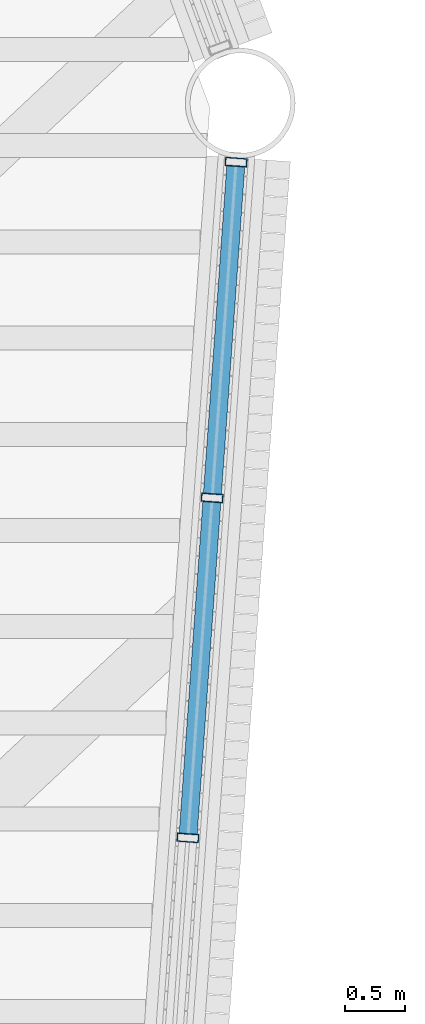
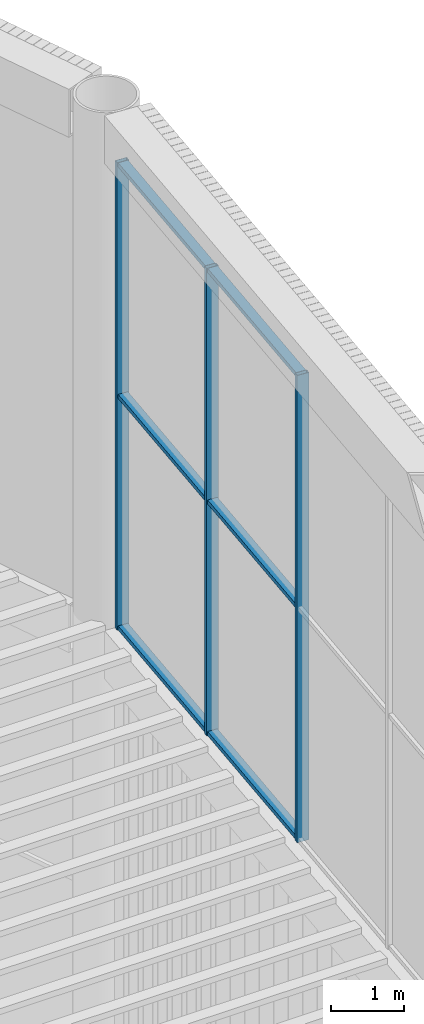
# One storey, part 72 of 117: 9 members, 1 element without a shape of its own.
"""IFC4 building model written with IfcOpenShell, lengths in metres."""

import ifcopenshell
import ifcopenshell.guid

model = None  # the IFC model being written
_history = None  # IfcOwnerHistory: only IFC2X3 demands one
_inside = {}  # id of a spatial element -> (the spatial element, [elements in it])
_under = {}  # id of a project, library or spatial element -> (it, [spatial elements below it])
_declared = {}  # id of a project -> (the project, [libraries it declares])
_typed = {}  # id of a type object -> (the type object, [elements of that type])
_made_of = {}  # id of a material, layer set ... -> (it, [elements and type objects made of it])


def new_model(schema):
    """Start an empty IFC model of exactly this schema.

    Asked for "IFC4X3", IfcOpenShell would pick the latest addendum, in which some entities
    have other attributes; the version numbers below select the first issue.
    IFC2X3 requires an IfcOwnerHistory on every rooted entity: one is made here for all.
    """
    global model, _history
    if schema == "IFC4X3":
        model = ifcopenshell.file(schema_version=(4, 3, 0, 0))
    else:
        model = ifcopenshell.file(schema=schema)
    _inside.clear()
    _under.clear()
    _declared.clear()
    _typed.clear()
    _made_of.clear()
    _history = None
    if model.schema == "IFC2X3":
        org = make("IfcOrganization", Name="unknown")
        user = make(
            "IfcPersonAndOrganization",
            ThePerson=make("IfcPerson", FamilyName="unknown"),
            TheOrganization=org,
        )
        app = make(
            "IfcApplication",
            ApplicationDeveloper=org,
            Version="unknown",
            ApplicationFullName="unknown",
            ApplicationIdentifier="unknown",
        )
        _history = make(
            "IfcOwnerHistory",
            OwningUser=user,
            OwningApplication=app,
            ChangeAction="ADDED",
            CreationDate=0,
        )
    return model


def make(cls, **values):
    """One entity of the class cls with the attributes given. An attribute that is None is left unset."""
    return model.create_entity(
        cls, **{name: value for name, value in values.items() if value is not None}
    )


def rooted(cls, **values):
    """An entity with a GlobalId (a new one), such as an element, a storey or a relation."""
    return make(cls, GlobalId=ifcopenshell.guid.new(), OwnerHistory=_history, **values)


def si_unit(unit_type, name, prefix=None):
    """IfcSIUnit, for example si_unit("LENGTHUNIT", "METRE", prefix="MILLI")."""
    return make("IfcSIUnit", UnitType=unit_type, Prefix=prefix, Name=name)


def assignment(units):
    """IfcUnitAssignment: the units of a project."""
    return None if units is None else make("IfcUnitAssignment", Units=units)


def point(xyz):
    """IfcCartesianPoint."""
    return None if xyz is None else make("IfcCartesianPoint", Coordinates=xyz)


def direction(xyz):
    """IfcDirection."""
    return None if xyz is None else make("IfcDirection", DirectionRatios=xyz)


def frame(location, z_axis=None, x_axis=None):
    """IfcAxis2Placement3D, a coordinate frame: its origin and axes. An axis left out is left unset."""
    return make(
        "IfcAxis2Placement3D",
        Location=point(location),
        Axis=direction(z_axis),
        RefDirection=direction(x_axis),
    )


def frame_2d(location, x_axis=None):
    """IfcAxis2Placement2D, a coordinate frame in the plane: its origin and x axis."""
    return make(
        "IfcAxis2Placement2D", Location=point(location), RefDirection=direction(x_axis)
    )


def origin():
    """The frame at (0, 0, 0) with its axes left unset."""
    return frame((0.0, 0.0, 0.0))


def origin_2d():
    """The frame at (0, 0) in the plane with its x axis left unset."""
    return frame_2d((0.0, 0.0))


def place(relative_to, where):
    """IfcLocalPlacement: puts the frame where relative to a parent placement (None: the world)."""
    return make(
        "IfcLocalPlacement", PlacementRelTo=relative_to, RelativePlacement=where
    )


def context(
    kind, dimensions, precision=None, world=None, true_north=None, identifier=None
):
    """IfcGeometricRepresentationContext, for example the 3D "Model" context."""
    return make(
        "IfcGeometricRepresentationContext",
        ContextIdentifier=identifier,
        ContextType=kind,
        CoordinateSpaceDimension=dimensions,
        Precision=precision,
        WorldCoordinateSystem=world,
        TrueNorth=true_north,
    )


def subcontext(parent, identifier, kind, view, scale=None):
    """IfcGeometricRepresentationSubContext, for example "Body" below "Model"."""
    return make(
        "IfcGeometricRepresentationSubContext",
        ContextIdentifier=identifier,
        ContextType=kind,
        ParentContext=parent,
        TargetScale=scale,
        TargetView=view,
    )


def project(units=None, contexts=None):
    """IfcProject with its units and contexts."""
    return rooted(
        "IfcProject",
        Name="project",
        RepresentationContexts=contexts,
        UnitsInContext=assignment(units),
    )


def spatial(cls, under=None, at=None, **own):
    """A site, building, storey or space (cls), placed at a placement, below another one or the project."""
    s = rooted(cls, ObjectPlacement=at, **own)
    if under is not None:
        _under.setdefault(under.id(), (under, []))[1].append(s)
    return s


def profile(cls, at=None, kind="AREA", **sizes):
    """A parametric profile (cls). Its sizes go by their IFC names, for example OverallWidth=200.0."""
    return make(cls, ProfileType=kind, Position=at, **sizes)


def hollow_rectangle(**sizes):
    """IfcRectangleHollowProfileDef."""
    return profile("IfcRectangleHollowProfileDef", **sizes)


def extrude(swept, where, along, depth):
    """IfcExtrudedAreaSolid: the profile swept, set in the frame where, extruded along a direction by depth."""
    return make(
        "IfcExtrudedAreaSolid",
        SweptArea=swept,
        Position=where,
        ExtrudedDirection=direction(along),
        Depth=depth,
    )


def shape(context_of_items, identifier, shape_type, items):
    """IfcShapeRepresentation: the items that make up one representation, for example the "Body"."""
    return make(
        "IfcShapeRepresentation",
        ContextOfItems=context_of_items,
        RepresentationIdentifier=identifier,
        RepresentationType=shape_type,
        Items=items,
    )


def material(Name=None, Category=None):
    """IfcMaterial."""
    return make("IfcMaterial", Name=Name, Category=Category)


def layer(
    of_material, thickness, ventilated=None, Name=None, Category=None, Priority=None
):
    """IfcMaterialLayer: one layer of a wall or slab, of a material (None: an air gap)."""
    return make(
        "IfcMaterialLayer",
        Material=of_material,
        LayerThickness=thickness,
        IsVentilated=ventilated,
        Name=Name,
        Category=Category,
        Priority=Priority,
    )


def layer_set(layers, Name=None):
    """IfcMaterialLayerSet."""
    return make("IfcMaterialLayerSet", MaterialLayers=layers, LayerSetName=Name)


def material_profile(
    of_material, cross_section, Name=None, Category=None, Priority=None
):
    """IfcMaterialProfile: a cross section and its material."""
    return make(
        "IfcMaterialProfile",
        Name=Name,
        Material=of_material,
        Profile=cross_section,
        Priority=Priority,
        Category=Category,
    )


def profile_set(profiles, Name=None, composite=None):
    """IfcMaterialProfileSet."""
    return make(
        "IfcMaterialProfileSet",
        Name=Name,
        MaterialProfiles=profiles,
        CompositeProfile=composite,
    )


def made_of(thing, what):
    """Note that an element or type object is made of a material, layer set ...; save() writes the relation."""
    if what is not None:
        _made_of.setdefault(what.id(), (what, []))[1].append(thing)
    return thing


def type_object(cls, material=None, **own):
    """A type object (cls), such as IfcWallType, which elements share."""
    return made_of(rooted(cls, **own), material)


def element(
    cls,
    number,
    at=None,
    inside=None,
    cuts=None,
    type_object=None,
    material=None,
    context=None,
    identifier="Body",
    shape_type=None,
    held_by="IfcProductDefinitionShape",
    body=None,
    shapes=None,
    **own,
):
    """One element of the class cls, such as IfcWall. Its Tag is "e" and its number.

    at: its placement. inside: the storey or other place that contains it. cuts: it is an
    opening in that element (IfcRelVoidsElement). A single representation is given by context,
    identifier, shape_type and body (its items); several are given by shapes. held_by: the class
    of the entity that holds the representations. save() writes the other relations.
    """
    e = rooted(cls, Tag="e%d" % number, ObjectPlacement=at, **own)
    if body is not None:
        shapes = [shape(context, identifier, shape_type, body)]
    if shapes is not None:
        e.Representation = make(held_by, Representations=shapes)
    if inside is not None:
        _inside.setdefault(inside.id(), (inside, []))[1].append(e)
    if cuts is not None:
        rooted(
            "IfcRelVoidsElement", RelatingBuildingElement=cuts, RelatedOpeningElement=e
        )
    if type_object is not None:
        _typed.setdefault(type_object.id(), (type_object, []))[1].append(e)
    return made_of(e, material)


def aggregate(whole, parts):
    """IfcRelAggregates: a whole, such as a stair, and the parts it consists of."""
    return rooted("IfcRelAggregates", RelatingObject=whole, RelatedObjects=parts)


def save(model, path):
    """Write the relations noted so far, then the file.

    IfcRelAggregates (storeys below a building ...), IfcRelContainedInSpatialStructure (elements
    in a storey), IfcRelDefinesByType, IfcRelAssociatesMaterial and IfcRelDeclares: one each for
    every whole, place, type object, material and project.
    """
    for whole, parts in _under.values():
        aggregate(whole, parts)
    for where, things in _inside.values():
        rooted(
            "IfcRelContainedInSpatialStructure",
            RelatedElements=things,
            RelatingStructure=where,
        )
    for kind, things in _typed.values():
        rooted("IfcRelDefinesByType", RelatedObjects=things, RelatingType=kind)
    for what, things in _made_of.values():
        rooted("IfcRelAssociatesMaterial", RelatedObjects=things, RelatingMaterial=what)
    for by, libraries in _declared.values():
        rooted("IfcRelDeclares", RelatingContext=by, RelatedDefinitions=libraries)
    model.write(path)


model = new_model("IFC4")

# Units and contexts
model_context = context("Model", 3, precision=1e-05, world=origin(), true_north=direction((0.0, 1.0)))
body_context = subcontext(model_context, "Body", "Model", "MODEL_VIEW")
ifc_project = project(units=[si_unit("LENGTHUNIT", "METRE"), si_unit("AREAUNIT", "SQUARE_METRE"), si_unit("VOLUMEUNIT", "CUBIC_METRE"), si_unit("PLANEANGLEUNIT", "RADIAN"), si_unit("MASSUNIT", "GRAM", prefix="KILO")], contexts=[model_context])

# Site, building, storey
site_placement = place(None, origin())
site = spatial("IfcSite", under=ifc_project, at=site_placement, CompositionType="ELEMENT")
building_placement = place(site_placement, origin())
building = spatial("IfcBuilding", under=site, at=building_placement, Name="Tarsis Ring Headquarters", CompositionType="ELEMENT")
storey_placement = place(building_placement, frame((0.0, 0.0, 403.60009765625)))
storey = spatial("IfcBuildingStorey", under=building, at=storey_placement, Name="L95", CompositionType="ELEMENT", Elevation=403.60009765625)

# Curtain wall, members
ifc_material_1 = material(Name="Aluminium curtain wall", Category="aluminium")
ifc_layer = layer(ifc_material_1, 0.179931640625)
ifc_layer_set = layer_set([ifc_layer], Name="Curtain wall crown glazing")
curtain_wall_type = type_object("IfcCurtainWallType", Name="Curtain wall crown glazing", PredefinedType="NOTDEFINED", material=ifc_layer_set)
curtain_wall_placement = place(storey_placement, origin())
curtain_wall = element("IfcCurtainWall", 1, at=curtain_wall_placement, inside=storey, type_object=curtain_wall_type, Name="Crown glazing U6", PredefinedType="NOTDEFINED")
ifc_material_2 = material(Name="Aluminium mullion", Category="aluminium")
ifc_material_profile_1 = material_profile(ifc_material_2, hollow_rectangle(XDim=0.179931640625, YDim=0.070068359375, WallThickness=0.0048828125, at=origin_2d()), Name="RHS 180x70x5")
ifc_profile_set_1 = profile_set([ifc_material_profile_1], Name="Aluminium mullion")
member_type_1 = type_object("IfcMemberType", Name="Crown glazing mullion RHS 180x70x5", PredefinedType="MULLION", material=ifc_profile_set_1)
member_1_placement = place(storey_placement, frame((28.32373046875, -2.019775390625, 14.39990234375), z_axis=(0.0, 0.0, 1.0), x_axis=(-0.997467263285, 0.071127060071, 0.0)))
member_1 = element("IfcMember", 2, at=member_1_placement, type_object=member_type_1, Name="CW-C mullion 3", PredefinedType="MULLION", context=body_context, shape_type="SweptSolid", body=[
    extrude(hollow_rectangle(XDim=0.179931640625, YDim=0.070068359375, WallThickness=0.0048828125, at=origin_2d()), origin(), (0.0, 0.0, 1.0), 7.800048828125),
])
member_2_placement = place(storey_placement, frame((28.525146484375, 0.806884765625, 14.39990234375), z_axis=(0.0, 0.0, 1.0), x_axis=(-0.997467263285, 0.071127060071, 0.0)))
member_2 = element("IfcMember", 3, at=member_2_placement, type_object=member_type_1, Name="CW-C mullion 4", PredefinedType="MULLION", context=body_context, shape_type="SweptSolid", body=[
    extrude(hollow_rectangle(XDim=0.179931640625, YDim=0.070068359375, WallThickness=0.0048828125, at=origin_2d()), origin(), (0.0, 0.0, 1.0), 7.800048828125),
])
member_3_placement = place(storey_placement, frame((28.724365234375, 3.598388671875, 14.39990234375), z_axis=(0.0, 0.0, 1.0), x_axis=(-0.997467263285, 0.071127060071, 0.0)))
member_3 = element("IfcMember", 4, at=member_3_placement, type_object=member_type_1, Name="CW-C mullion 5", PredefinedType="MULLION", context=body_context, shape_type="SweptSolid", body=[
    extrude(hollow_rectangle(XDim=0.179931640625, YDim=0.070068359375, WallThickness=0.0048828125, at=origin_2d()), origin(), (0.0, 0.0, 1.0), 7.800048828125),
])
ifc_material_3 = material(Name="Aluminium transom", Category="aluminium")
ifc_material_profile_2 = material_profile(ifc_material_3, hollow_rectangle(XDim=0.14990234375, YDim=0.070068359375, WallThickness=0.0048828125, at=origin_2d()), Name="RHS 150x70x5")
ifc_profile_set_2 = profile_set([ifc_material_profile_2], Name="Aluminium transom")
member_type_2 = type_object("IfcMemberType", Name="Crown glazing transom RHS 150x70x5", PredefinedType="USERDEFINED", material=ifc_profile_set_2)
member_4_placement = place(storey_placement, frame((28.326171875, -1.98486328125, 14.434814453125), z_axis=(0.071108943214, 0.997468554991, 0.0), x_axis=(-0.997468554991, 0.071108943214, 0.0)))
member_4 = element("IfcMember", 5, at=member_4_placement, type_object=member_type_2, Name="CW-C transom 3.1", ObjectType="TRANSOM", PredefinedType="USERDEFINED", context=body_context, shape_type="SweptSolid", body=[
    extrude(hollow_rectangle(XDim=0.14990234375, YDim=0.070068359375, WallThickness=0.0048828125, at=origin_2d()), origin(), (0.0, 0.0, 1.0), 2.763916015625),
])
member_5_placement = place(storey_placement, frame((28.326171875, -1.98486328125, 18.2998046875), z_axis=(0.071108943214, 0.997468554991, 0.0), x_axis=(-0.997468554991, 0.071108943214, 0.0)))
member_5 = element("IfcMember", 6, at=member_5_placement, type_object=member_type_2, Name="CW-C transom 3.2", ObjectType="TRANSOM", PredefinedType="USERDEFINED", context=body_context, shape_type="SweptSolid", body=[
    extrude(hollow_rectangle(XDim=0.14990234375, YDim=0.070068359375, WallThickness=0.0048828125, at=origin_2d()), origin(), (0.0, 0.0, 1.0), 2.763916015625),
])
member_6_placement = place(storey_placement, frame((28.326171875, -1.98486328125, 22.164794921875), z_axis=(0.071108943214, 0.997468554991, 0.0), x_axis=(-0.997468554991, 0.071108943214, 0.0)))
member_6 = element("IfcMember", 7, at=member_6_placement, type_object=member_type_2, Name="CW-C transom 3.3", ObjectType="TRANSOM", PredefinedType="USERDEFINED", context=body_context, shape_type="SweptSolid", body=[
    extrude(hollow_rectangle(XDim=0.14990234375, YDim=0.070068359375, WallThickness=0.0048828125, at=origin_2d()), origin(), (0.0, 0.0, 1.0), 2.763916015625),
])
member_7_placement = place(storey_placement, frame((28.527587890625, 0.841796875, 14.434814453125), z_axis=(0.071132594238, 0.997466868641, 0.0), x_axis=(-0.997466868641, 0.071132594238, 0.0)))
member_7 = element("IfcMember", 8, at=member_7_placement, type_object=member_type_2, Name="CW-C transom 4.1", ObjectType="TRANSOM", PredefinedType="USERDEFINED", context=body_context, shape_type="SweptSolid", body=[
    extrude(hollow_rectangle(XDim=0.14990234375, YDim=0.070068359375, WallThickness=0.0048828125, at=origin_2d()), origin(), (0.0, 0.0, 1.0), 2.728515625),
])
member_8_placement = place(storey_placement, frame((28.527587890625, 0.841796875, 18.2998046875), z_axis=(0.071132594238, 0.997466868641, 0.0), x_axis=(-0.997466868641, 0.071132594238, 0.0)))
member_8 = element("IfcMember", 9, at=member_8_placement, type_object=member_type_2, Name="CW-C transom 4.2", ObjectType="TRANSOM", PredefinedType="USERDEFINED", context=body_context, shape_type="SweptSolid", body=[
    extrude(hollow_rectangle(XDim=0.14990234375, YDim=0.070068359375, WallThickness=0.0048828125, at=origin_2d()), origin(), (0.0, 0.0, 1.0), 2.728515625),
])
member_9_placement = place(storey_placement, frame((28.527587890625, 0.841796875, 22.164794921875), z_axis=(0.071132594238, 0.997466868641, 0.0), x_axis=(-0.997466868641, 0.071132594238, 0.0)))
member_9 = element("IfcMember", 10, at=member_9_placement, type_object=member_type_2, Name="CW-C transom 4.3", ObjectType="TRANSOM", PredefinedType="USERDEFINED", context=body_context, shape_type="SweptSolid", body=[
    extrude(hollow_rectangle(XDim=0.14990234375, YDim=0.070068359375, WallThickness=0.0048828125, at=origin_2d()), origin(), (0.0, 0.0, 1.0), 2.728515625),
])
aggregate(curtain_wall, [member_1, member_2, member_3, member_4, member_5, member_6, member_7, member_8, member_9])

save(model, "model.ifc")
